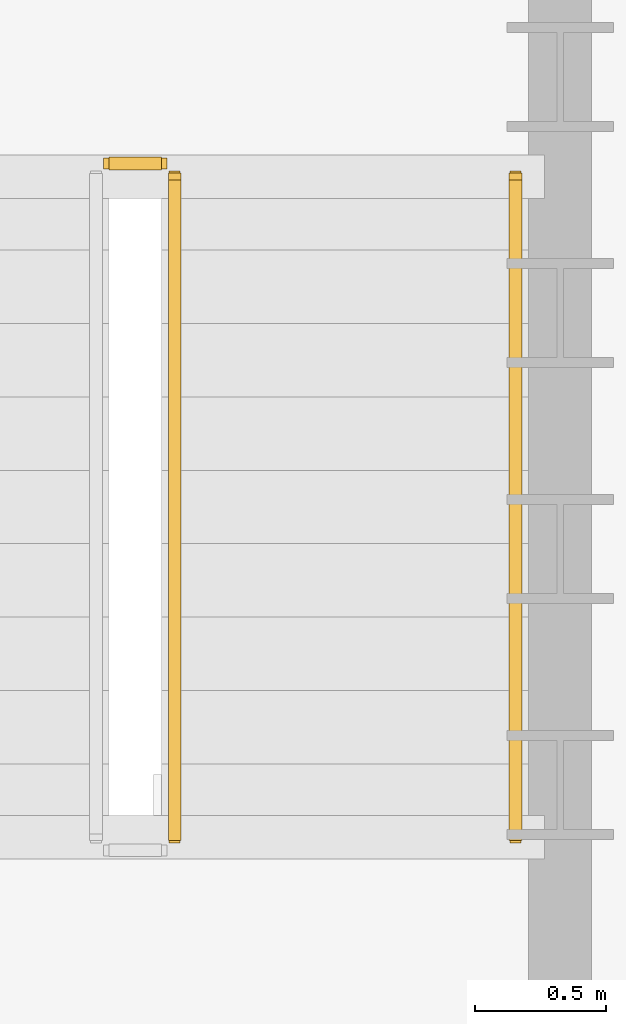
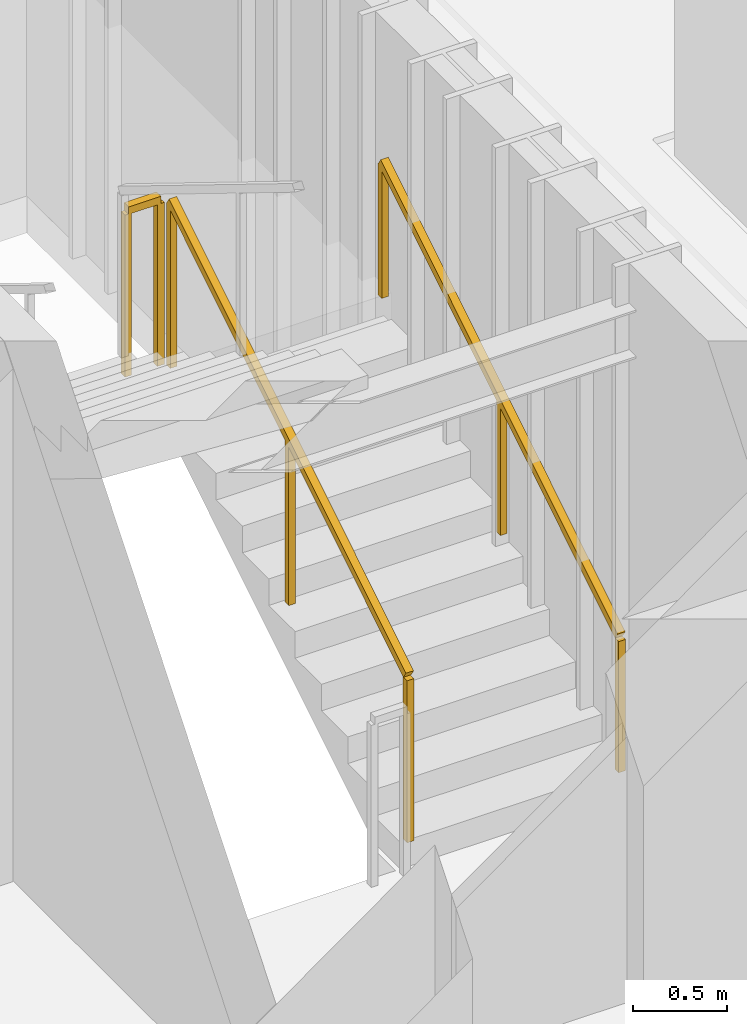
# One storey, part 9 of 10: 3 railings.
"""IFC4 building model written with IfcOpenShell, lengths in metres."""

from ifc_helpers import new_model, si_unit, direction, frame, origin, origin_2d, place, context, subcontext, project, spatial, rectangle, extrude, material, type_object, element, save


model = new_model("IFC4")

# Units and contexts
model_context = context("Model", 3, precision=1e-05, world=origin(), true_north=direction((0.0, 1.0)))
body_context = subcontext(model_context, "Body", "Model", "MODEL_VIEW")
ifc_project = project(units=[si_unit("LENGTHUNIT", "METRE"), si_unit("AREAUNIT", "SQUARE_METRE"), si_unit("VOLUMEUNIT", "CUBIC_METRE"), si_unit("PLANEANGLEUNIT", "RADIAN"), si_unit("MASSUNIT", "GRAM", prefix="KILO")], contexts=[model_context])

# Site, building, storey
site_placement = place(None, origin())
site = spatial("IfcSite", under=ifc_project, at=site_placement, CompositionType="ELEMENT")
building_placement = place(site_placement, origin())
building = spatial("IfcBuilding", under=site, at=building_placement, Name="Haldorwick Loom Tower", CompositionType="ELEMENT")
storey_placement = place(building_placement, frame((0.0, 0.0, 185.5)))
storey = spatial("IfcBuildingStorey", under=building, at=storey_placement, Name="L50", CompositionType="ELEMENT", Elevation=185.5)

# Railings
ifc_material = material(Name="Steel CSA G40.21 350W", Category="steel")
railing_type_1 = type_object("IfcRailingType", Name="ARC-RLG-GUARD112", PredefinedType="GUARDRAIL", material=ifc_material)
railing_1_placement = place(storey_placement, frame((48.60009765625, 28.39990234375, 0.172607421875)))
element("IfcRailing", 1, at=railing_1_placement, inside=storey, type_object=railing_type_1, Name="L50 ST-02 stair guard 1", PredefinedType="GUARDRAIL", context=body_context, shape_type="SweptSolid", body=[
    extrude(rectangle(XDim=0.048095703125, YDim=0.048095703125, at=origin_2d()), frame((0.0, 0.0, 1.076171875), z_axis=(0.0, 0.851400495292, 0.524516154772), x_axis=(-1.0, 0.0, 0.0)), (0.0, 0.0, 1.0), 2.9599609375),
    extrude(rectangle(XDim=0.0419921875, YDim=0.0419921875, at=origin_2d()), origin(), (0.0, 0.0, 1.0), 1.052001953125),
    extrude(rectangle(XDim=0.0419921875, YDim=0.0419921875, at=origin_2d()), frame((0.0, 1.260009765625, 0.7763671875)), (0.0, 0.0, 1.0), 1.052001953125),
    extrude(rectangle(XDim=0.0419921875, YDim=0.0419921875, at=origin_2d()), frame((0.0, 2.52001953125, 1.552490234375)), (0.0, 0.0, 1.0), 1.052001953125),
])
railing_2_placement = place(storey_placement, frame((48.550048828125, 30.969970703125, 1.72509765625)))
element("IfcRailing", 2, at=railing_2_placement, inside=storey, type_object=railing_type_1, Name="L50 ST-02 stair guard 2", PredefinedType="GUARDRAIL", context=body_context, shape_type="SweptSolid", body=[
    extrude(rectangle(XDim=0.048095703125, YDim=0.048095703125, at=origin_2d()), frame((0.0, 0.0, 1.076171875), z_axis=(-1.0, 0.0, 0.0), x_axis=(0.0, -1.0, 0.0)), (0.0, 0.0, 1.0), 0.199951171875),
    extrude(rectangle(XDim=0.0419921875, YDim=0.0419921875, at=origin_2d()), origin(), (0.0, 0.0, 1.0), 1.052001953125),
    extrude(rectangle(XDim=0.0419921875, YDim=0.0419921875, at=origin_2d()), frame((-0.199951171875, 0.0, 0.0)), (0.0, 0.0, 1.0), 1.052001953125),
])
railing_type_2 = type_object("IfcRailingType", Name="ARC-RLG-HAND092", PredefinedType="HANDRAIL", material=ifc_material)
railing_3_placement = place(storey_placement, frame((49.89990234375, 28.39990234375, 0.172607421875)))
element("IfcRailing", 3, at=railing_3_placement, inside=storey, type_object=railing_type_2, Name="L50 ST-02 stair handrail 1", PredefinedType="HANDRAIL", context=body_context, shape_type="SweptSolid", body=[
    extrude(rectangle(XDim=0.048095703125, YDim=0.048095703125, at=origin_2d()), frame((0.0, 0.0, 0.8759765625), z_axis=(0.0, 0.851400495292, 0.524516154772), x_axis=(-1.0, 0.0, 0.0)), (0.0, 0.0, 1.0), 2.9599609375),
    extrude(rectangle(XDim=0.0419921875, YDim=0.0419921875, at=origin_2d()), origin(), (0.0, 0.0, 1.0), 0.851806640625),
    extrude(rectangle(XDim=0.0419921875, YDim=0.0419921875, at=origin_2d()), frame((0.0, 1.260009765625, 0.7763671875)), (0.0, 0.0, 1.0), 0.851806640625),
    extrude(rectangle(XDim=0.0419921875, YDim=0.0419921875, at=origin_2d()), frame((0.0, 2.52001953125, 1.552490234375)), (0.0, 0.0, 1.0), 0.851806640625),
])

save(model, "model.ifc")
